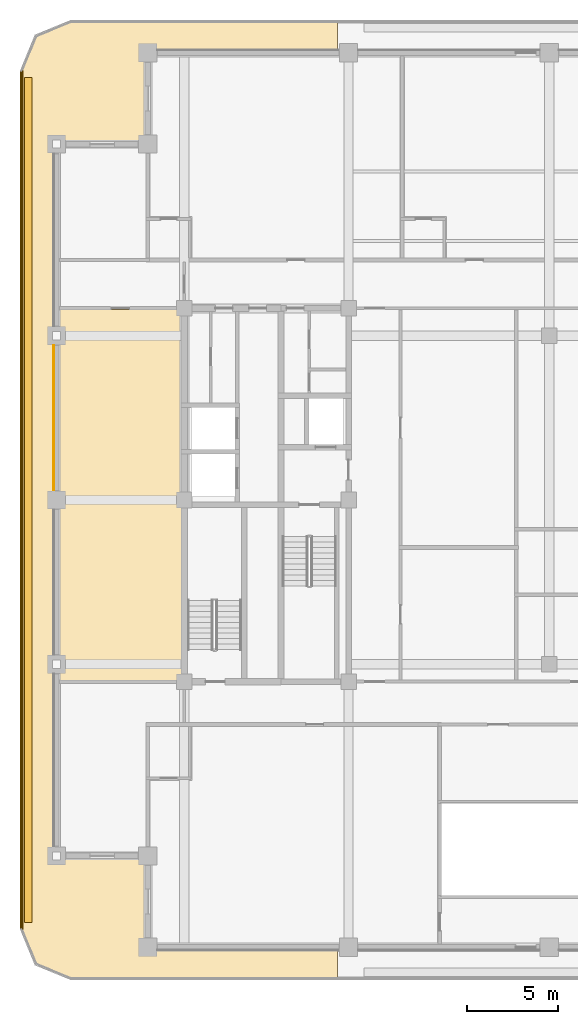
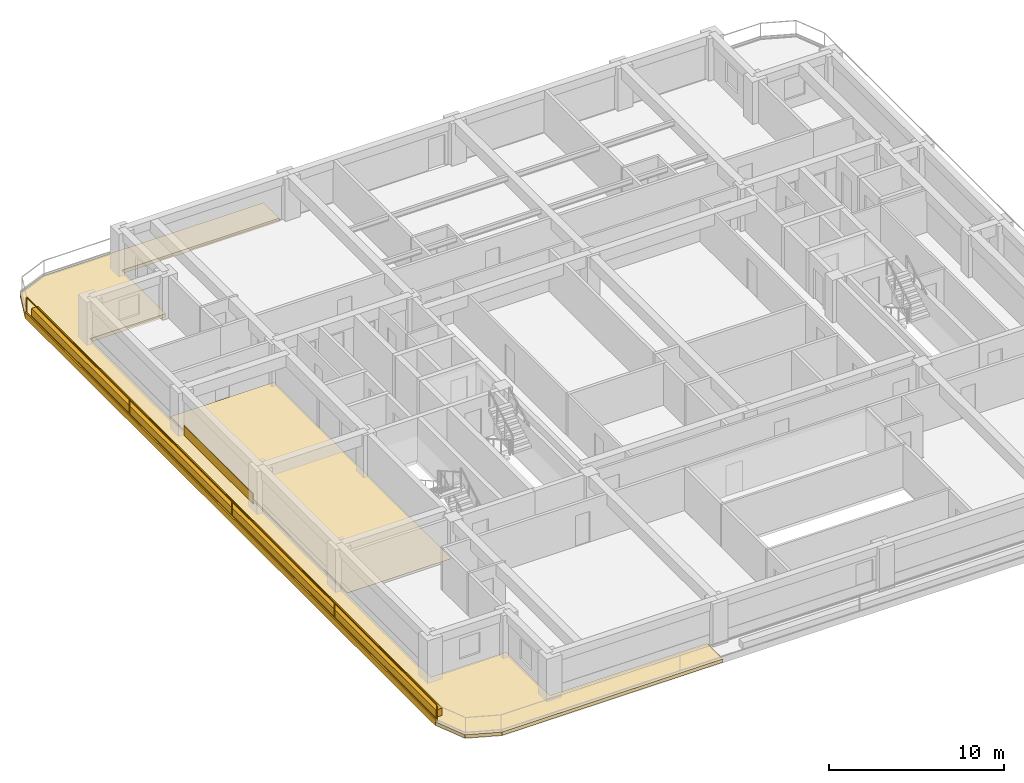
# One storey, part 9 of 13: 5 coverings, 1 railing.
"""IFC4 building model written with IfcOpenShell, lengths in metres."""

import ifcopenshell
import ifcopenshell.guid

model = None  # the IFC model being written
_history = None  # IfcOwnerHistory: only IFC2X3 demands one
_inside = {}  # id of a spatial element -> (the spatial element, [elements in it])
_under = {}  # id of a project, library or spatial element -> (it, [spatial elements below it])
_declared = {}  # id of a project -> (the project, [libraries it declares])
_typed = {}  # id of a type object -> (the type object, [elements of that type])
_made_of = {}  # id of a material, layer set ... -> (it, [elements and type objects made of it])


def new_model(schema):
    """Start an empty IFC model of exactly this schema.

    Asked for "IFC4X3", IfcOpenShell would pick the latest addendum, in which some entities
    have other attributes; the version numbers below select the first issue.
    IFC2X3 requires an IfcOwnerHistory on every rooted entity: one is made here for all.
    """
    global model, _history
    if schema == "IFC4X3":
        model = ifcopenshell.file(schema_version=(4, 3, 0, 0))
    else:
        model = ifcopenshell.file(schema=schema)
    _inside.clear()
    _under.clear()
    _declared.clear()
    _typed.clear()
    _made_of.clear()
    _history = None
    if model.schema == "IFC2X3":
        org = make("IfcOrganization", Name="unknown")
        user = make(
            "IfcPersonAndOrganization",
            ThePerson=make("IfcPerson", FamilyName="unknown"),
            TheOrganization=org,
        )
        app = make(
            "IfcApplication",
            ApplicationDeveloper=org,
            Version="unknown",
            ApplicationFullName="unknown",
            ApplicationIdentifier="unknown",
        )
        _history = make(
            "IfcOwnerHistory",
            OwningUser=user,
            OwningApplication=app,
            ChangeAction="ADDED",
            CreationDate=0,
        )
    return model


def make(cls, **values):
    """One entity of the class cls with the attributes given. An attribute that is None is left unset."""
    return model.create_entity(
        cls, **{name: value for name, value in values.items() if value is not None}
    )


def rooted(cls, **values):
    """An entity with a GlobalId (a new one), such as an element, a storey or a relation."""
    return make(cls, GlobalId=ifcopenshell.guid.new(), OwnerHistory=_history, **values)


def si_unit(unit_type, name, prefix=None):
    """IfcSIUnit, for example si_unit("LENGTHUNIT", "METRE", prefix="MILLI")."""
    return make("IfcSIUnit", UnitType=unit_type, Prefix=prefix, Name=name)


def assignment(units):
    """IfcUnitAssignment: the units of a project."""
    return None if units is None else make("IfcUnitAssignment", Units=units)


def point(xyz):
    """IfcCartesianPoint."""
    return None if xyz is None else make("IfcCartesianPoint", Coordinates=xyz)


def direction(xyz):
    """IfcDirection."""
    return None if xyz is None else make("IfcDirection", DirectionRatios=xyz)


def frame(location, z_axis=None, x_axis=None):
    """IfcAxis2Placement3D, a coordinate frame: its origin and axes. An axis left out is left unset."""
    return make(
        "IfcAxis2Placement3D",
        Location=point(location),
        Axis=direction(z_axis),
        RefDirection=direction(x_axis),
    )


def frame_2d(location, x_axis=None):
    """IfcAxis2Placement2D, a coordinate frame in the plane: its origin and x axis."""
    return make(
        "IfcAxis2Placement2D", Location=point(location), RefDirection=direction(x_axis)
    )


def origin():
    """The frame at (0, 0, 0) with its axes left unset."""
    return frame((0.0, 0.0, 0.0))


def origin_2d():
    """The frame at (0, 0) in the plane with its x axis left unset."""
    return frame_2d((0.0, 0.0))


def place(relative_to, where):
    """IfcLocalPlacement: puts the frame where relative to a parent placement (None: the world)."""
    return make(
        "IfcLocalPlacement", PlacementRelTo=relative_to, RelativePlacement=where
    )


def context(
    kind, dimensions, precision=None, world=None, true_north=None, identifier=None
):
    """IfcGeometricRepresentationContext, for example the 3D "Model" context."""
    return make(
        "IfcGeometricRepresentationContext",
        ContextIdentifier=identifier,
        ContextType=kind,
        CoordinateSpaceDimension=dimensions,
        Precision=precision,
        WorldCoordinateSystem=world,
        TrueNorth=true_north,
    )


def subcontext(parent, identifier, kind, view, scale=None):
    """IfcGeometricRepresentationSubContext, for example "Body" below "Model"."""
    return make(
        "IfcGeometricRepresentationSubContext",
        ContextIdentifier=identifier,
        ContextType=kind,
        ParentContext=parent,
        TargetScale=scale,
        TargetView=view,
    )


def project(units=None, contexts=None):
    """IfcProject with its units and contexts."""
    return rooted(
        "IfcProject",
        Name="project",
        RepresentationContexts=contexts,
        UnitsInContext=assignment(units),
    )


def spatial(cls, under=None, at=None, **own):
    """A site, building, storey or space (cls), placed at a placement, below another one or the project."""
    s = rooted(cls, ObjectPlacement=at, **own)
    if under is not None:
        _under.setdefault(under.id(), (under, []))[1].append(s)
    return s


def polyline(points):
    """IfcPolyline through the points."""
    return make("IfcPolyline", Points=[point(p) for p in points])


def profile(cls, at=None, kind="AREA", **sizes):
    """A parametric profile (cls). Its sizes go by their IFC names, for example OverallWidth=200.0."""
    return make(cls, ProfileType=kind, Position=at, **sizes)


def rectangle(**sizes):
    """IfcRectangleProfileDef."""
    return profile("IfcRectangleProfileDef", **sizes)


def outline(outer, holes=None, kind="AREA"):
    """IfcArbitraryClosedProfileDef: a profile drawn as a closed curve; with holes, ...WithVoids."""
    if holes is None:
        return make("IfcArbitraryClosedProfileDef", ProfileType=kind, OuterCurve=outer)
    return make(
        "IfcArbitraryProfileDefWithVoids",
        ProfileType=kind,
        OuterCurve=outer,
        InnerCurves=holes,
    )


def extrude(swept, where, along, depth):
    """IfcExtrudedAreaSolid: the profile swept, set in the frame where, extruded along a direction by depth."""
    return make(
        "IfcExtrudedAreaSolid",
        SweptArea=swept,
        Position=where,
        ExtrudedDirection=direction(along),
        Depth=depth,
    )


def shape(context_of_items, identifier, shape_type, items):
    """IfcShapeRepresentation: the items that make up one representation, for example the "Body"."""
    return make(
        "IfcShapeRepresentation",
        ContextOfItems=context_of_items,
        RepresentationIdentifier=identifier,
        RepresentationType=shape_type,
        Items=items,
    )


def material(Name=None, Category=None):
    """IfcMaterial."""
    return make("IfcMaterial", Name=Name, Category=Category)


def layer(
    of_material, thickness, ventilated=None, Name=None, Category=None, Priority=None
):
    """IfcMaterialLayer: one layer of a wall or slab, of a material (None: an air gap)."""
    return make(
        "IfcMaterialLayer",
        Material=of_material,
        LayerThickness=thickness,
        IsVentilated=ventilated,
        Name=Name,
        Category=Category,
        Priority=Priority,
    )


def layer_set(layers, Name=None):
    """IfcMaterialLayerSet."""
    return make("IfcMaterialLayerSet", MaterialLayers=layers, LayerSetName=Name)


def made_of(thing, what):
    """Note that an element or type object is made of a material, layer set ...; save() writes the relation."""
    if what is not None:
        _made_of.setdefault(what.id(), (what, []))[1].append(thing)
    return thing


def type_object(cls, material=None, **own):
    """A type object (cls), such as IfcWallType, which elements share."""
    return made_of(rooted(cls, **own), material)


def element(
    cls,
    number,
    at=None,
    inside=None,
    cuts=None,
    type_object=None,
    material=None,
    context=None,
    identifier="Body",
    shape_type=None,
    held_by="IfcProductDefinitionShape",
    body=None,
    shapes=None,
    **own,
):
    """One element of the class cls, such as IfcWall. Its Tag is "e" and its number.

    at: its placement. inside: the storey or other place that contains it. cuts: it is an
    opening in that element (IfcRelVoidsElement). A single representation is given by context,
    identifier, shape_type and body (its items); several are given by shapes. held_by: the class
    of the entity that holds the representations. save() writes the other relations.
    """
    e = rooted(cls, Tag="e%d" % number, ObjectPlacement=at, **own)
    if body is not None:
        shapes = [shape(context, identifier, shape_type, body)]
    if shapes is not None:
        e.Representation = make(held_by, Representations=shapes)
    if inside is not None:
        _inside.setdefault(inside.id(), (inside, []))[1].append(e)
    if cuts is not None:
        rooted(
            "IfcRelVoidsElement", RelatingBuildingElement=cuts, RelatedOpeningElement=e
        )
    if type_object is not None:
        _typed.setdefault(type_object.id(), (type_object, []))[1].append(e)
    return made_of(e, material)


def aggregate(whole, parts):
    """IfcRelAggregates: a whole, such as a stair, and the parts it consists of."""
    return rooted("IfcRelAggregates", RelatingObject=whole, RelatedObjects=parts)


def save(model, path):
    """Write the relations noted so far, then the file.

    IfcRelAggregates (storeys below a building ...), IfcRelContainedInSpatialStructure (elements
    in a storey), IfcRelDefinesByType, IfcRelAssociatesMaterial and IfcRelDeclares: one each for
    every whole, place, type object, material and project.
    """
    for whole, parts in _under.values():
        aggregate(whole, parts)
    for where, things in _inside.values():
        rooted(
            "IfcRelContainedInSpatialStructure",
            RelatedElements=things,
            RelatingStructure=where,
        )
    for kind, things in _typed.values():
        rooted("IfcRelDefinesByType", RelatedObjects=things, RelatingType=kind)
    for what, things in _made_of.values():
        rooted("IfcRelAssociatesMaterial", RelatedObjects=things, RelatingMaterial=what)
    for by, libraries in _declared.values():
        rooted("IfcRelDeclares", RelatingContext=by, RelatedDefinitions=libraries)
    model.write(path)


model = new_model("IFC4")

# Units and contexts
model_context = context("Model", 3, precision=1e-05, world=origin(), true_north=direction((0.0, 1.0)))
body_context = subcontext(model_context, "Body", "Model", "MODEL_VIEW")
ifc_project = project(units=[si_unit("LENGTHUNIT", "METRE"), si_unit("AREAUNIT", "SQUARE_METRE"), si_unit("VOLUMEUNIT", "CUBIC_METRE"), si_unit("PLANEANGLEUNIT", "RADIAN"), si_unit("MASSUNIT", "GRAM", prefix="KILO")], contexts=[model_context])

# Site, building, storey
site_placement = place(None, origin())
site = spatial("IfcSite", under=ifc_project, at=site_placement, CompositionType="ELEMENT")
building_placement = place(site_placement, origin())
building = spatial("IfcBuilding", under=site, at=building_placement, Name="Zulmaris Gate Convention Tower", CompositionType="ELEMENT")
storey_placement = place(building_placement, frame((0.0, 0.0, 218.659912109375)))
storey = spatial("IfcBuildingStorey", under=building, at=storey_placement, Name="L57", CompositionType="ELEMENT", Elevation=218.659912109375)

# Coverings
ifc_material_1 = material(Name="Precast concrete C40/50", Category="concrete")
ifc_layer_1 = layer(ifc_material_1, 0.0400390625, Name="Precast concrete C40/50")
ifc_layer_set_1 = layer_set([ifc_layer_1], Name="Precast concrete C40/50")
covering_type_1 = type_object("IfcCoveringType", Name="CLAD-SPANDREL-PRECAST", PredefinedType="CLADDING", material=ifc_layer_set_1)
covering_1_placement = place(storey_placement, frame((-27.14990234375, 8.469970703125, 0.0), z_axis=(0.0, 0.0, 1.0), x_axis=(0.0, -1.0, 0.0)))
element("IfcCovering", 1, at=covering_1_placement, inside=storey, type_object=covering_type_1, Name="CLD-L57-W-2_0", PredefinedType="CLADDING", context=body_context, shape_type="SweptSolid", body=[
    extrude(rectangle(XDim=7.93994140625, YDim=0.0400390625, at=frame_2d((3.969970703125, 0.0))), origin(), (0.0, 0.0, 1.0), 0.679931640625),
])
ifc_material_2 = material(Name="White Glazed Architectural Precast Concrete C40/50", Category="concrete")
ifc_layer_2 = layer(ifc_material_2, 0.239990234375, Name="White Glazed Architectural Precast Concrete C40/50")
ifc_layer_set_2 = layer_set([ifc_layer_2], Name="White Glazed Architectural Precast Concrete C40/50")
covering_type_2 = type_object("IfcCoveringType", Name="CLAD-TRAY-DECK", PredefinedType="CLADDING", material=ifc_layer_set_2)
covering_2_placement = place(storey_placement, frame((0.0, 0.0, -0.25)))
element("IfcCovering", 2, at=covering_2_placement, inside=storey, type_object=covering_type_2, Name="L57 West Rounded-Fascia Planter Tray Deck", PredefinedType="CLADDING", context=body_context, shape_type="SweptSolid", body=[
    extrude(outline(polyline([(-29.0, 23.5), (-28.179931640625, 25.47998046875), (-26.199951171875, 26.300048828125), (-11.60205078125, 26.300048828125), (-11.60205078125, 24.5), (-22.0, 24.5), (-22.0, 19.5), (-27.0, 19.5), (-27.0, -19.5), (-22.0, -19.5), (-22.0, -24.5), (-11.60205078125, -24.5), (-11.60205078125, -26.300048828125), (-26.199951171875, -26.300048828125), (-28.179931640625, -25.47998046875), (-29.0, -23.5), (-29.0, 23.5)])), origin(), (0.0, 0.0, 1.0), 0.239990234375),
])
ifc_layer_3 = layer(ifc_material_2, 0.080078125, Name="White Glazed Architectural Precast Concrete C40/50")
ifc_layer_set_3 = layer_set([ifc_layer_3], Name="White Glazed Architectural Precast Concrete C40/50")
covering_type_3 = type_object("IfcCoveringType", Name="CLAD-TRAY-FASCIA", PredefinedType="CLADDING", material=ifc_layer_set_3)
covering_3_placement = place(storey_placement, frame((-28.9599609375, 23.5, -0.2900390625), z_axis=(0.0, 0.0, 1.0), x_axis=(0.0, -1.0, 0.0)))
element("IfcCovering", 3, at=covering_3_placement, inside=storey, type_object=covering_type_3, Name="FSC-L57-TR-11", PredefinedType="CLADDING", context=body_context, shape_type="SweptSolid", body=[
    extrude(rectangle(XDim=47.0, YDim=0.080078125, at=frame_2d((23.5, 0.0))), origin(), (0.0, 0.0, 1.0), 0.43994140625),
])
ifc_material_3 = material(Name="Engineered Teak Parquet Flooring")
ifc_layer_4 = layer(ifc_material_3, 0.02001953125, Name="Engineered Teak Parquet Flooring")
ifc_layer_set_4 = layer_set([ifc_layer_4], Name="Engineered Teak Parquet Flooring")
covering_type_4 = type_object("IfcCoveringType", Name="FLR-TIMBER-18", PredefinedType="FLOORING", material=ifc_layer_set_4)
covering_4_placement = place(storey_placement, origin())
element("IfcCovering", 4, at=covering_4_placement, inside=storey, type_object=covering_type_4, Name="FLR-L57-R55", PredefinedType="FLOORING", context=body_context, shape_type="SweptSolid", body=[
    extrude(outline(polyline([(-26.93994140625, -9.889892578125), (-20.06005859375, -9.889892578125), (-20.06005859375, 10.43994140625), (-26.93994140625, 10.43994140625), (-26.93994140625, -9.889892578125)])), origin(), (0.0, 0.0, 1.0), 0.02001953125),
])
ifc_material_4 = material(Name="Botanical Green Glazed Precast Concrete C40/50", Category="concrete")
ifc_layer_5 = layer(ifc_material_4, 0.419921875, Name="Botanical Green Glazed Precast Concrete C40/50")
ifc_layer_set_5 = layer_set([ifc_layer_5], Name="Botanical Green Glazed Precast Concrete C40/50")
covering_type_5 = type_object("IfcCoveringType", Name="PLANTER-BOX-200", PredefinedType="CLADDING", material=ifc_layer_set_5)
covering_5_placement = place(storey_placement, frame((0.0, 0.0, -0.010009765625)))
element("IfcCovering", 5, at=covering_5_placement, inside=storey, type_object=covering_type_5, Name="L57 W Full-Length Balcony Tree Planter Trough", PredefinedType="CLADDING", context=body_context, shape_type="SweptSolid", body=[
    extrude(outline(polyline([(-28.760009765625, -23.14990234375), (-28.340087890625, -23.14990234375), (-28.340087890625, 23.14990234375), (-28.760009765625, 23.14990234375), (-28.760009765625, -23.14990234375)])), origin(), (0.0, 0.0, 1.0), 0.52001953125),
])

# Railing
ifc_material_5 = material(Name="Laminated Glass and Stainless Steel", Category="steel")
railing_type = type_object("IfcRailingType", Name="RL-BALC-1150", PredefinedType="BALUSTRADE", material=ifc_material_5)
railing_placement = place(storey_placement, frame((-28.8798828125, 23.5, -0.010009765625)))
element("IfcRailing", 6, at=railing_placement, inside=storey, type_object=railing_type, Name="RL-L57-BALC-W", PredefinedType="BALUSTRADE", context=body_context, shape_type="SweptSolid", body=[
    extrude(rectangle(XDim=0.048095703125, YDim=0.048095703125, at=origin_2d()), frame((0.0, 0.0, 1.1259765625), z_axis=(0.0, -1.0, 0.0), x_axis=(1.0, 0.0, 0.0)), (0.0, 0.0, 1.0), 47.0),
    extrude(rectangle(XDim=0.048095703125, YDim=0.048095703125, at=origin_2d()), frame((0.0, 0.0, 0.02392578125), z_axis=(0.0, -1.0, 0.0), x_axis=(1.0, 0.0, 0.0)), (0.0, 0.0, 1.0), 47.0),
    extrude(rectangle(XDim=0.0419921875, YDim=0.0419921875, at=origin_2d()), origin(), (0.0, 0.0, 1.0), 1.101806640625),
    extrude(rectangle(XDim=0.0419921875, YDim=0.0419921875, at=origin_2d()), frame((0.0, -11.75, 0.0)), (0.0, 0.0, 1.0), 1.101806640625),
    extrude(rectangle(XDim=0.0419921875, YDim=0.0419921875, at=origin_2d()), frame((0.0, -23.5, 0.0)), (0.0, 0.0, 1.0), 1.101806640625),
    extrude(rectangle(XDim=0.0419921875, YDim=0.0419921875, at=origin_2d()), frame((0.0, -35.25, 0.0)), (0.0, 0.0, 1.0), 1.101806640625),
    extrude(rectangle(XDim=0.0419921875, YDim=0.0419921875, at=origin_2d()), frame((0.0, -47.0, 0.0)), (0.0, 0.0, 1.0), 1.101806640625),
])

save(model, "model.ifc")
